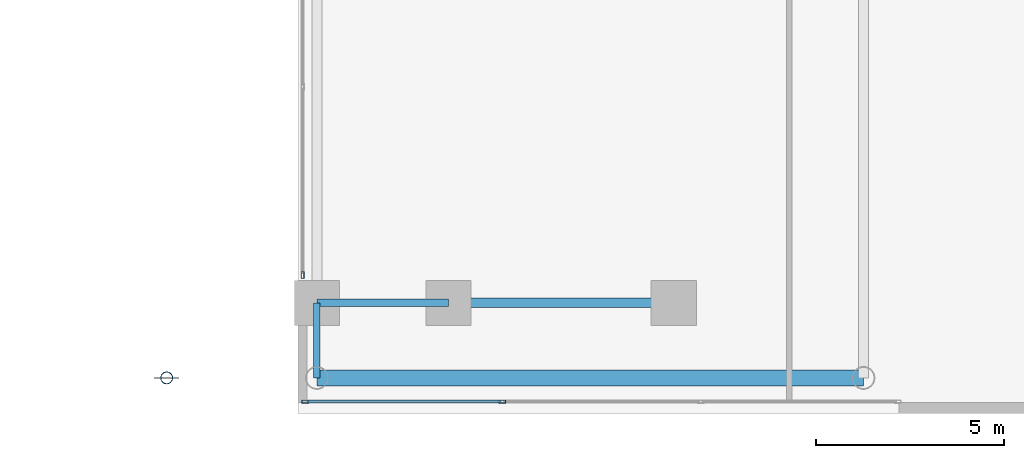
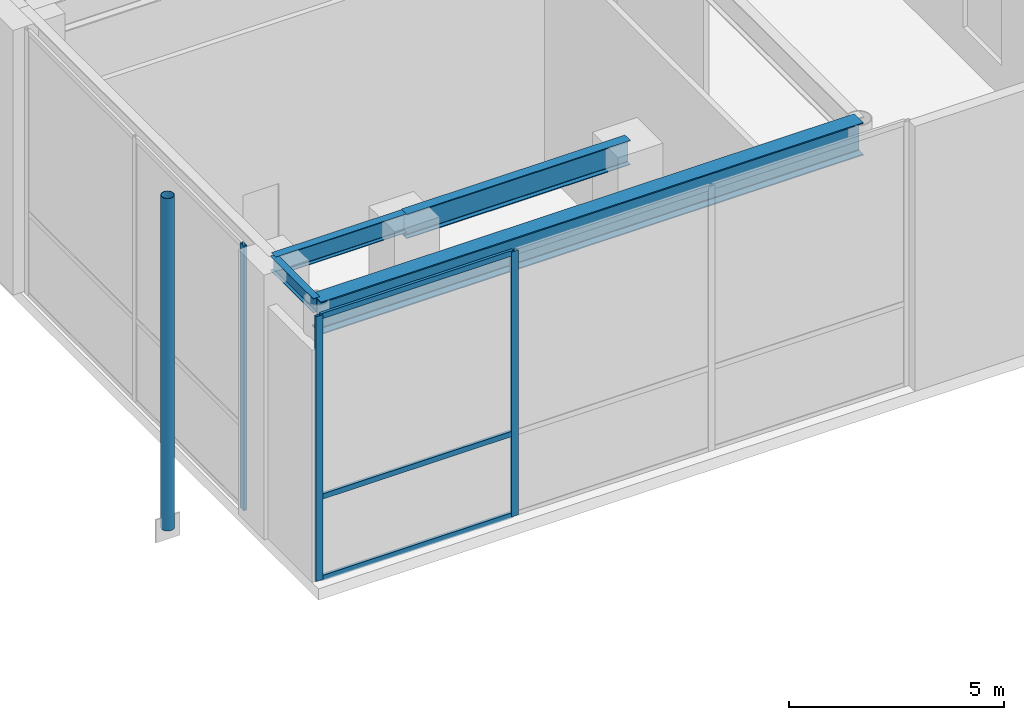
# One storey, part 8 of 29: 7 members, 4 beams, 2 elements without a shape of their own.
"""IFC4 building model written with IfcOpenShell, lengths in metres."""

from ifc_helpers import new_model, si_unit, direction, frame, origin, origin_2d, place, context, subcontext, project, spatial, hollow_rectangle, hollow_circle, i_section, extrude, source, transform, mapped, material, layer, layer_set, material_profile, profile_set, type_object, element, aggregate, save


model = new_model("IFC4")

# Units and contexts
model_context = context("Model", 3, precision=1e-05, world=origin(), true_north=direction((0.0, 1.0)))
body_context = subcontext(model_context, "Body", "Model", "MODEL_VIEW")
ifc_project = project(units=[si_unit("LENGTHUNIT", "METRE"), si_unit("AREAUNIT", "SQUARE_METRE"), si_unit("VOLUMEUNIT", "CUBIC_METRE"), si_unit("PLANEANGLEUNIT", "RADIAN"), si_unit("MASSUNIT", "GRAM", prefix="KILO")], contexts=[model_context])

# Site, building, storey
site_placement = place(None, origin())
site = spatial("IfcSite", under=ifc_project, at=site_placement, CompositionType="ELEMENT")
building_placement = place(site_placement, origin())
building = spatial("IfcBuilding", under=site, at=building_placement, Name="Ocotamira Hotel", CompositionType="ELEMENT")
storey_placement = place(building_placement, frame((0.0, 0.0, 11.39990234375)))
storey = spatial("IfcBuildingStorey", under=building, at=storey_placement, Name="L03", CompositionType="ELEMENT", Elevation=11.39990234375)

# Beams
ifc_material_1 = material(Name="Steel ASTM A992 Grade 50", Category="steel")
ifc_material_profile_1 = material_profile(ifc_material_1, i_section(OverallWidth=0.41796875, OverallDepth=0.927001953125, WebThickness=0.019287109375, FlangeThickness=0.031982421875, FilletRadius=0.02392578125, at=origin_2d()), Name="W36X231")
ifc_profile_set_1 = profile_set([ifc_material_profile_1], Name="Steel ASTM A992 Grade 50")
beam_type_1 = type_object("IfcBeamType", Name="BM-GIRD-W36X231", PredefinedType="BEAM", material=ifc_profile_set_1)
shared_shape_1 = source(origin(), body_context, "Body", "SweptSolid", [
    extrude(i_section(OverallWidth=0.41796875, OverallDepth=0.927001953125, WebThickness=0.019287109375, FlangeThickness=0.031982421875, FilletRadius=0.02392578125, at=origin_2d()), origin(), (0.0, 0.0, 1.0), 14.550048828125),
])
beam_1_placement = place(storey_placement, frame((40.5, 0.949951171875, 7.046630859375), z_axis=(1.0, 0.0, 0.0), x_axis=(0.0, 1.0, 0.0)))
element("IfcBeam", 1, at=beam_1_placement, inside=storey, type_object=beam_type_1, Name="L03 Girder Y0.95 X40.5-55.05", PredefinedType="BEAM", context=body_context, shape_type="MappedRepresentation", body=[
    mapped(shared_shape_1, transform((0.0, 0.0, 0.0), scale=1.0)),
])
ifc_material_profile_2 = material_profile(ifc_material_1, i_section(OverallWidth=0.256103515625, OverallDepth=0.693115234375, WebThickness=0.014404296875, FlangeThickness=0.023681640625, FilletRadius=0.01611328125, at=origin_2d()), Name="W27X114")
ifc_profile_set_2 = profile_set([ifc_material_profile_2], Name="Steel ASTM A992 Grade 50")
beam_type_2 = type_object("IfcBeamType", Name="BM-PRIM-W27X114", PredefinedType="BEAM", material=ifc_profile_set_2)
shared_shape_2 = source(origin(), body_context, "Body", "SweptSolid", [
    extrude(i_section(OverallWidth=0.256103515625, OverallDepth=0.693115234375, WebThickness=0.014404296875, FlangeThickness=0.023681640625, FilletRadius=0.01611328125, at=origin_2d()), origin(), (0.0, 0.0, 1.0), 6.0),
])
beam_2_placement = place(storey_placement, frame((44.0, 2.949951171875, 7.16357421875), z_axis=(1.0, 0.0, 0.0), x_axis=(0.0, 1.0, 0.0)))
element("IfcBeam", 2, at=beam_2_placement, inside=storey, type_object=beam_type_2, Name="L03 Girder Y2.95 X44-50", PredefinedType="BEAM", context=body_context, shape_type="MappedRepresentation", body=[
    mapped(shared_shape_2, transform((0.0, 0.0, 0.0), scale=1.0)),
])
ifc_material_profile_3 = material_profile(ifc_material_1, i_section(OverallWidth=0.2099609375, OverallDepth=0.537109375, WebThickness=0.010986328125, FlangeThickness=0.017333984375, FilletRadius=0.012939453125, at=origin_2d()), Name="W21X68")
ifc_profile_set_3 = profile_set([ifc_material_profile_3], Name="Steel ASTM A992 Grade 50")
beam_type_3 = type_object("IfcBeamType", Name="BM-SEC-W21X68", PredefinedType="JOIST", material=ifc_profile_set_3)
shared_shape_3 = source(origin(), body_context, "Body", "SweptSolid", [
    extrude(i_section(OverallWidth=0.2099609375, OverallDepth=0.537109375, WebThickness=0.010986328125, FlangeThickness=0.017333984375, FilletRadius=0.012939453125, at=origin_2d()), origin(), (0.0, 0.0, 1.0), 3.5),
])
beam_3_placement = place(storey_placement, frame((40.5, 2.949951171875, 7.24169921875), z_axis=(1.0, 0.0, 0.0), x_axis=(0.0, 1.0, 0.0)))
element("IfcBeam", 3, at=beam_3_placement, inside=storey, type_object=beam_type_3, Name="L03 Girder Y2.95 X40.5-44", PredefinedType="JOIST", context=body_context, shape_type="MappedRepresentation", body=[
    mapped(shared_shape_3, transform((0.0, 0.0, 0.0), scale=1.0)),
])
ifc_material_profile_4 = material_profile(ifc_material_1, i_section(OverallWidth=0.177978515625, OverallDepth=0.403076171875, WebThickness=0.007568359375, FlangeThickness=0.010986328125, FilletRadius=0.010009765625, at=origin_2d()), Name="W16X36")
ifc_profile_set_4 = profile_set([ifc_material_profile_4], Name="Steel ASTM A992 Grade 50")
beam_type_4 = type_object("IfcBeamType", Name="BM-SEC-W16X36", PredefinedType="JOIST", material=ifc_profile_set_4)
shared_shape_4 = source(origin(), body_context, "Body", "SweptSolid", [
    extrude(i_section(OverallWidth=0.177978515625, OverallDepth=0.403076171875, WebThickness=0.007568359375, FlangeThickness=0.010986328125, FilletRadius=0.010009765625, at=origin_2d()), origin(), (0.0, 0.0, 1.0), 2.0),
])
beam_4_placement = place(storey_placement, frame((40.5, 0.949951171875, 7.30859375), z_axis=(0.0, 1.0, 0.0), x_axis=(-1.0, 0.0, 0.0)))
element("IfcBeam", 4, at=beam_4_placement, inside=storey, type_object=beam_type_4, Name="L03 Beam X40.5 Y0.95-2.95", PredefinedType="JOIST", context=body_context, shape_type="MappedRepresentation", body=[
    mapped(shared_shape_4, transform((0.0, 0.0, 0.0), scale=1.0)),
])

# Member
ifc_material_2 = material(Name="Steel ASTM A500 Grade C", Category="steel")
ifc_material_profile_5 = material_profile(ifc_material_2, hollow_circle(Radius=0.162109375, WallThickness=0.011962890625, at=origin_2d()), Name="CHS324X12")
ifc_profile_set_5 = profile_set([ifc_material_profile_5], Name="Steel ASTM A500 Grade C")
member_type_1 = type_object("IfcMemberType", Name="MEM-STRUT-CHS324", PredefinedType="STRUT", material=ifc_profile_set_5)
shared_shape_5 = source(origin(), body_context, "Body", "SweptSolid", [
    extrude(hollow_circle(Radius=0.162109375, WallThickness=0.011962890625, at=origin_2d()), origin(), (0.0, 0.0, 1.0), 9.429931640625),
])
member_1_placement = place(storey_placement, frame((36.5, 0.949951171875, 2.400146484375), z_axis=(0.0, 0.0, 1.0), x_axis=(1.0, 0.0, 0.0)))
element("IfcMember", 5, at=member_1_placement, inside=storey, type_object=member_type_1, Name="Portal Arch Spandrel Strut S2", PredefinedType="STRUT", context=body_context, shape_type="MappedRepresentation", body=[
    mapped(shared_shape_5, transform((0.0, 0.0, 0.0), scale=1.0)),
])

# Curtain wall, members
ifc_material_3 = material(Name="Anodised pale-metal aluminium and solar glass", Category="aluminium")
ifc_layer = layer(ifc_material_3, 0.219970703125)
ifc_layer_set = layer_set([ifc_layer], Name="Anodised pale-metal aluminium and solar glass")
curtain_wall_type = type_object("IfcCurtainWallType", Name="CW-SYS1-POD", PredefinedType="NOTDEFINED", material=ifc_layer_set)
curtain_wall_1_placement = place(storey_placement, origin())
curtain_wall_1 = element("IfcCurtainWall", 6, at=curtain_wall_1_placement, inside=storey, type_object=curtain_wall_type, Name="L03 Curtain Wall CW-1 CW-L03-SE", PredefinedType="NOTDEFINED")
ifc_material_4 = material(Name="Anodised pale-metal aluminium 6063-T6", Category="aluminium")
ifc_material_profile_6 = material_profile(ifc_material_4, hollow_rectangle(XDim=0.074951171875, YDim=0.14990234375, WallThickness=0.006103515625, at=origin_2d()), Name="HSS150X75X6")
ifc_profile_set_6 = profile_set([ifc_material_profile_6], Name="Anodised pale-metal aluminium 6063-T6")
member_type_2 = type_object("IfcMemberType", Name="CWT-150X75", PredefinedType="USERDEFINED", material=ifc_profile_set_6)
shared_shape_6 = source(origin(), body_context, "Body", "SweptSolid", [
    extrude(hollow_rectangle(XDim=0.074951171875, YDim=0.14990234375, WallThickness=0.006103515625, at=origin_2d()), origin(), (0.0, 0.0, 1.0), 5.163330078125),
])
member_2_placement = place(storey_placement, frame((40.22998046875, 0.320068359375, 0.03759765625), z_axis=(1.0, 0.0, 0.0), x_axis=(0.0, 1.0, 0.0)))
member_2 = element("IfcMember", 7, at=member_2_placement, type_object=member_type_2, Name="CW-1 transom 1.1", ObjectType="TRANSOM", PredefinedType="USERDEFINED", context=body_context, shape_type="MappedRepresentation", body=[
    mapped(shared_shape_6, transform((0.0, 0.0, 0.0), scale=1.0)),
])
member_3_placement = place(storey_placement, frame((40.22998046875, 0.320068359375, 2.35009765625), z_axis=(1.0, 0.0, 0.0), x_axis=(0.0, 1.0, 0.0)))
member_3 = element("IfcMember", 8, at=member_3_placement, type_object=member_type_2, Name="CW-1 transom 1.2", ObjectType="TRANSOM", PredefinedType="USERDEFINED", context=body_context, shape_type="MappedRepresentation", body=[
    mapped(shared_shape_6, transform((0.0, 0.0, 0.0), scale=1.0)),
])
member_4_placement = place(storey_placement, frame((40.22998046875, 0.320068359375, 7.47265625), z_axis=(1.0, 0.0, 0.0), x_axis=(0.0, 1.0, 0.0)))
member_4 = element("IfcMember", 9, at=member_4_placement, type_object=member_type_2, Name="CW-1 transom 1.3", ObjectType="TRANSOM", PredefinedType="USERDEFINED", context=body_context, shape_type="MappedRepresentation", body=[
    mapped(shared_shape_6, transform((0.0, 0.0, 0.0), scale=1.0)),
])
ifc_material_profile_7 = material_profile(ifc_material_4, hollow_rectangle(XDim=0.080078125, YDim=0.179931640625, WallThickness=0.006103515625, at=origin_2d()), Name="HSS180X80X6")
ifc_profile_set_7 = profile_set([ifc_material_profile_7], Name="Anodised pale-metal aluminium 6063-T6")
member_type_3 = type_object("IfcMemberType", Name="CWM-180X75", PredefinedType="MULLION", material=ifc_profile_set_7)
shared_shape_7 = source(origin(), body_context, "Body", "SweptSolid", [
    extrude(hollow_rectangle(XDim=0.080078125, YDim=0.179931640625, WallThickness=0.006103515625, at=origin_2d()), origin(), (0.0, 0.0, 1.0), 7.510009765625),
])
member_5_placement = place(storey_placement, frame((40.18994140625, 0.320068359375, 0.0), z_axis=(0.0, 0.0, 1.0), x_axis=(0.0, 1.0, 0.0)))
member_5 = element("IfcMember", 10, at=member_5_placement, type_object=member_type_3, Name="CW-1 mullion 1", PredefinedType="MULLION", context=body_context, shape_type="MappedRepresentation", body=[
    mapped(shared_shape_7, transform((0.0, 0.0, 0.0), scale=1.0)),
])
member_6_placement = place(storey_placement, frame((45.433349609375, 0.320068359375, 0.0), z_axis=(0.0, 0.0, 1.0), x_axis=(0.0, 1.0, 0.0)))
member_6 = element("IfcMember", 11, at=member_6_placement, type_object=member_type_3, Name="CW-1 mullion 2", PredefinedType="MULLION", context=body_context, shape_type="MappedRepresentation", body=[
    mapped(shared_shape_7, transform((0.0, 0.0, 0.0), scale=1.0)),
])
aggregate(curtain_wall_1, [member_5, member_6, member_2, member_3, member_4])

# Curtain wall, member
curtain_wall_2_placement = place(storey_placement, origin())
curtain_wall_2 = element("IfcCurtainWall", 12, at=curtain_wall_2_placement, inside=storey, type_object=curtain_wall_type, Name="L03 Curtain Wall CW-1 CW-L03-AE-S", PredefinedType="NOTDEFINED")
member_7_placement = place(storey_placement, frame((40.1201171875, 3.68994140625, 0.0), z_axis=(0.0, 0.0, 1.0), x_axis=(-1.0, 0.0, 0.0)))
member_7 = element("IfcMember", 13, at=member_7_placement, type_object=member_type_3, Name="CW-1 mullion 1", PredefinedType="MULLION", context=body_context, shape_type="MappedRepresentation", body=[
    mapped(shared_shape_7, transform((0.0, 0.0, 0.0), scale=1.0)),
])
aggregate(curtain_wall_2, [member_7])

save(model, "model.ifc")
